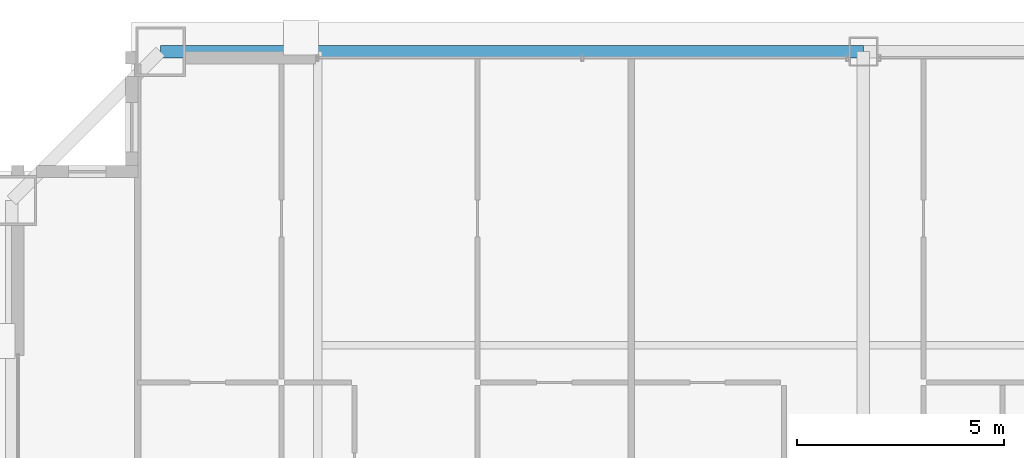
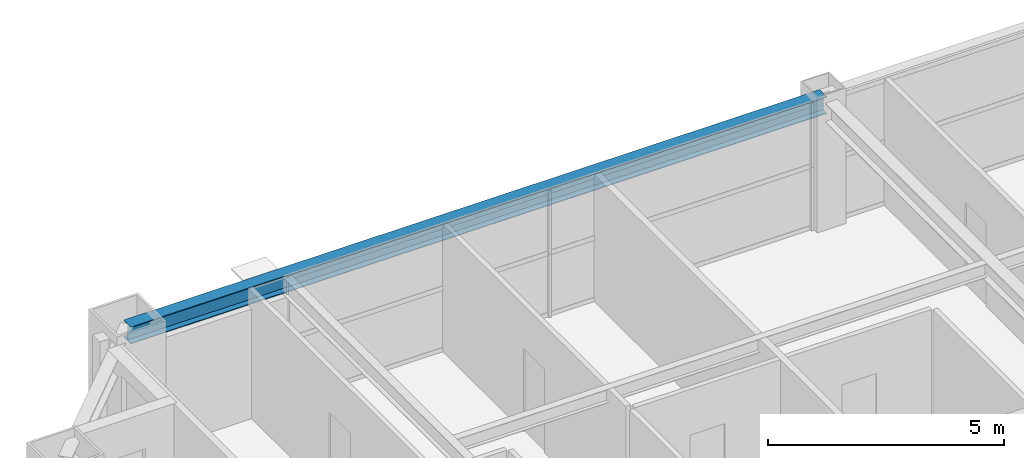
# One storey, part 25 of 37: 1 beam.
"""IFC4 building model written with IfcOpenShell, lengths in metres."""

from ifc_helpers import new_model, si_unit, direction, frame, origin, origin_2d, place, context, subcontext, project, spatial, i_section, extrude, source, transform, mapped, material, material_profile, profile_set, type_object, element, save


model = new_model("IFC4")

# Units and contexts
model_context = context("Model", 3, precision=1e-05, world=origin(), true_north=direction((0.0, 1.0)))
body_context = subcontext(model_context, "Body", "Model", "MODEL_VIEW")
ifc_project = project(units=[si_unit("LENGTHUNIT", "METRE"), si_unit("AREAUNIT", "SQUARE_METRE"), si_unit("VOLUMEUNIT", "CUBIC_METRE"), si_unit("PLANEANGLEUNIT", "RADIAN"), si_unit("MASSUNIT", "GRAM", prefix="KILO"), si_unit("THERMODYNAMICTEMPERATUREUNIT", "KELVIN"), si_unit("POWERUNIT", "WATT")], contexts=[model_context])

# Site, building, storey
site_placement = place(None, origin())
site = spatial("IfcSite", under=ifc_project, at=site_placement, CompositionType="ELEMENT")
building_placement = place(site_placement, origin())
building = spatial("IfcBuilding", under=site, at=building_placement, Name="Yuzanri Waterfront Tower", CompositionType="ELEMENT")
storey_placement = place(building_placement, frame((0.0, 0.0, 252.10009765625)))
storey = spatial("IfcBuildingStorey", under=building, at=storey_placement, Name="L67", CompositionType="ELEMENT", Elevation=252.10009765625)

# Beam
ifc_material = material(Name="Steel Q355B", Category="steel")
ifc_material_profile = material_profile(ifc_material, i_section(OverallWidth=0.300048828125, OverallDepth=0.43994140625, WebThickness=0.010986328125, FlangeThickness=0.01806640625, at=origin_2d()), Name="HM 440x300x11x18")
ifc_profile_set = profile_set([ifc_material_profile], Name="Steel Q355B")
beam_type = type_object("IfcBeamType", Name="Perimeter Spandrel Q355B HM 440x300", PredefinedType="SPANDREL", material=ifc_profile_set)
shared_shape = source(origin(), body_context, "Body", "SweptSolid", [
    extrude(i_section(OverallWidth=0.300048828125, OverallDepth=0.43994140625, WebThickness=0.010986328125, FlangeThickness=0.01806640625, at=origin_2d()), origin(), (0.0, 0.0, 1.0), 17.0),
])
beam_placement = place(storey_placement, frame((37.0, 46.39990234375, 3.059814453125), z_axis=(-1.0, 0.0, 0.0), x_axis=(0.0, -1.0, 0.0)))
element("IfcBeam", 1, at=beam_placement, inside=storey, type_object=beam_type, Name="L67 Perimeter Spandrel N2-N1", PredefinedType="SPANDREL", context=body_context, shape_type="MappedRepresentation", body=[
    mapped(shared_shape, transform((0.0, 0.0, 0.0), scale=1.0)),
])

save(model, "model.ifc")
